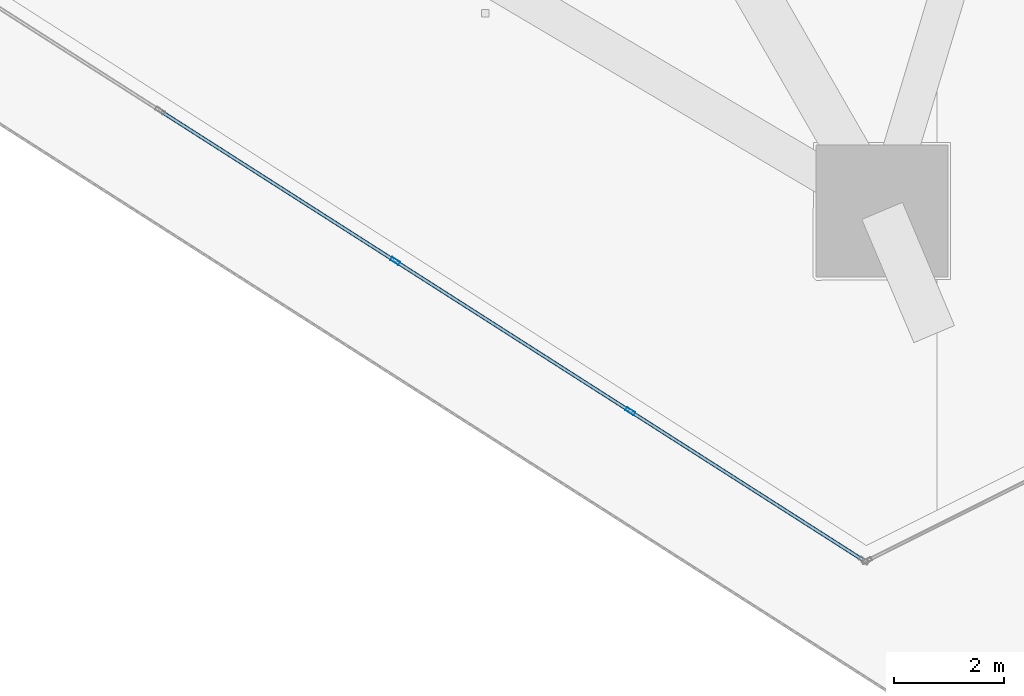
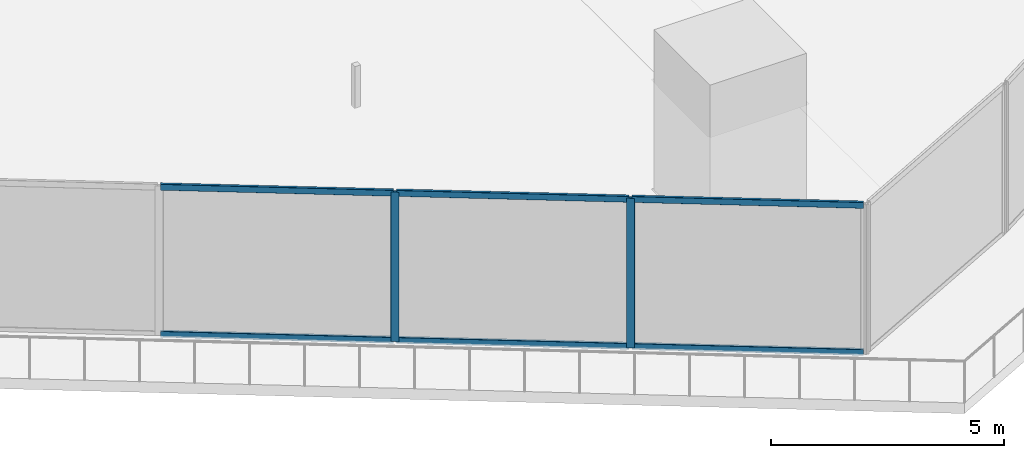
# One storey, part 7 of 42: 8 members, 1 element without a shape of its own.
"""IFC4 building model written with IfcOpenShell, lengths in metres."""

from ifc_helpers import new_model, si_unit, direction, frame, origin, origin_2d, place, context, subcontext, project, spatial, hollow_rectangle, extrude, material, layer, layer_set, material_profile, profile_set, type_object, element, aggregate, save


model = new_model("IFC4")

# Units and contexts
model_context = context("Model", 3, precision=1e-05, world=origin(), true_north=direction((0.0, 1.0)))
body_context = subcontext(model_context, "Body", "Model", "MODEL_VIEW")
ifc_project = project(units=[si_unit("LENGTHUNIT", "METRE"), si_unit("AREAUNIT", "SQUARE_METRE"), si_unit("VOLUMEUNIT", "CUBIC_METRE"), si_unit("PLANEANGLEUNIT", "RADIAN"), si_unit("MASSUNIT", "GRAM", prefix="KILO")], contexts=[model_context])

# Site, building, storey
site_placement = place(None, origin())
site = spatial("IfcSite", under=ifc_project, at=site_placement, CompositionType="ELEMENT")
building_placement = place(site_placement, origin())
building = spatial("IfcBuilding", under=site, at=building_placement, Name="Qorvath Tower", CompositionType="ELEMENT")
storey_placement = place(building_placement, frame((0.0, 0.0, 32.39990234375)))
storey = spatial("IfcBuildingStorey", under=building, at=storey_placement, Name="L06", CompositionType="ELEMENT", Elevation=32.39990234375)

# Curtain wall, members
ifc_material_1 = material(Name="Anodised aluminium and triple low-E glass", Category="aluminium")
ifc_layer = layer(ifc_material_1, 0.179931640625)
ifc_layer_set = layer_set([ifc_layer], Name="CW-SYS-2")
curtain_wall_type = type_object("IfcCurtainWallType", Name="CW-SYS-2", PredefinedType="NOTDEFINED", material=ifc_layer_set)
curtain_wall_placement = place(storey_placement, origin())
curtain_wall = element("IfcCurtainWall", 1, at=curtain_wall_placement, inside=storey, type_object=curtain_wall_type, Name="Curtain Wall CW-2 CW-T-L06-2.2", PredefinedType="NOTDEFINED")
ifc_material_2 = material(Name="Anodised aluminium 6063-T6", Category="aluminium")
ifc_material_profile_1 = material_profile(ifc_material_2, hollow_rectangle(XDim=0.06494140625, YDim=0.179931640625, WallThickness=0.00341796875, InnerFilletRadius=0.00341796875, OuterFilletRadius=0.007080078125, at=origin_2d()), Name="CWM 180x65")
ifc_profile_set_1 = profile_set([ifc_material_profile_1], Name="Anodised aluminium 6063-T6")
member_type_1 = type_object("IfcMemberType", Name="CWM-180", PredefinedType="MULLION", material=ifc_profile_set_1)
member_1_placement = place(storey_placement, frame((-23.306396484375, -28.240966796875, 0.0), z_axis=(0.0, 0.0, 1.0), x_axis=(0.538532593363, 0.842604679483, 0.0)))
member_1 = element("IfcMember", 2, at=member_1_placement, type_object=member_type_1, Name="CW-2 mullion 5", PredefinedType="MULLION", context=body_context, shape_type="SweptSolid", body=[
    extrude(hollow_rectangle(XDim=0.06494140625, YDim=0.179931640625, WallThickness=0.00341796875, InnerFilletRadius=0.00341796875, OuterFilletRadius=0.007080078125, at=origin_2d()), origin(), (0.0, 0.0, 1.0), 3.920166015625),
])
member_2_placement = place(storey_placement, frame((-19.03662109375, -30.969970703125, 0.0), z_axis=(0.0, 0.0, 1.0), x_axis=(0.538532593363, 0.842604679483, 0.0)))
member_2 = element("IfcMember", 3, at=member_2_placement, type_object=member_type_1, Name="CW-2 mullion 6", PredefinedType="MULLION", context=body_context, shape_type="SweptSolid", body=[
    extrude(hollow_rectangle(XDim=0.06494140625, YDim=0.179931640625, WallThickness=0.00341796875, InnerFilletRadius=0.00341796875, OuterFilletRadius=0.007080078125, at=origin_2d()), origin(), (0.0, 0.0, 1.0), 3.920166015625),
])
ifc_material_3 = material(Name="Anodised aluminium 6063-T6", Category="aluminium")
ifc_material_profile_2 = material_profile(ifc_material_3, hollow_rectangle(XDim=0.06494140625, YDim=0.159912109375, WallThickness=0.00341796875, InnerFilletRadius=0.00341796875, OuterFilletRadius=0.007080078125, at=origin_2d()), Name="CWT 160x65")
ifc_profile_set_2 = profile_set([ifc_material_profile_2], Name="Anodised aluminium 6063-T6")
member_type_2 = type_object("IfcMemberType", Name="CWT-160", PredefinedType="USERDEFINED", material=ifc_profile_set_2)
member_3_placement = place(storey_placement, frame((-27.548583984375, -25.52978515625, 0.032470703125), z_axis=(0.842602751758, -0.538535609528, 0.0), x_axis=(0.538535609528, 0.842602751758, 0.0)))
member_3 = element("IfcMember", 4, at=member_3_placement, type_object=member_type_2, Name="CW-2 transom 4.1", ObjectType="TRANSOM", PredefinedType="USERDEFINED", context=body_context, shape_type="SweptSolid", body=[
    extrude(hollow_rectangle(XDim=0.06494140625, YDim=0.159912109375, WallThickness=0.00341796875, InnerFilletRadius=0.00341796875, OuterFilletRadius=0.007080078125, at=origin_2d()), origin(), (0.0, 0.0, 1.0), 5.002197265625),
])
member_4_placement = place(storey_placement, frame((-27.548583984375, -25.52978515625, 3.8876953125), z_axis=(0.842602751758, -0.538535609528, 0.0), x_axis=(0.538535609528, 0.842602751758, 0.0)))
member_4 = element("IfcMember", 5, at=member_4_placement, type_object=member_type_2, Name="CW-2 transom 4.2", ObjectType="TRANSOM", PredefinedType="USERDEFINED", context=body_context, shape_type="SweptSolid", body=[
    extrude(hollow_rectangle(XDim=0.06494140625, YDim=0.159912109375, WallThickness=0.00341796875, InnerFilletRadius=0.00341796875, OuterFilletRadius=0.007080078125, at=origin_2d()), origin(), (0.0, 0.0, 1.0), 5.002197265625),
])
member_5_placement = place(storey_placement, frame((-23.279052734375, -28.258544921875, 0.032470703125), z_axis=(0.842602751758, -0.538535609528, 0.0), x_axis=(0.538535609528, 0.842602751758, 0.0)))
member_5 = element("IfcMember", 6, at=member_5_placement, type_object=member_type_2, Name="CW-2 transom 5.1", ObjectType="TRANSOM", PredefinedType="USERDEFINED", context=body_context, shape_type="SweptSolid", body=[
    extrude(hollow_rectangle(XDim=0.06494140625, YDim=0.159912109375, WallThickness=0.00341796875, InnerFilletRadius=0.00341796875, OuterFilletRadius=0.007080078125, at=origin_2d()), origin(), (0.0, 0.0, 1.0), 5.002197265625),
])
member_6_placement = place(storey_placement, frame((-23.279052734375, -28.258544921875, 3.8876953125), z_axis=(0.842602751758, -0.538535609528, 0.0), x_axis=(0.538535609528, 0.842602751758, 0.0)))
member_6 = element("IfcMember", 7, at=member_6_placement, type_object=member_type_2, Name="CW-2 transom 5.2", ObjectType="TRANSOM", PredefinedType="USERDEFINED", context=body_context, shape_type="SweptSolid", body=[
    extrude(hollow_rectangle(XDim=0.06494140625, YDim=0.159912109375, WallThickness=0.00341796875, InnerFilletRadius=0.00341796875, OuterFilletRadius=0.007080078125, at=origin_2d()), origin(), (0.0, 0.0, 1.0), 5.002197265625),
])
member_7_placement = place(storey_placement, frame((-19.00927734375, -30.9873046875, 0.032470703125), z_axis=(0.842612048599, -0.538521063243, 0.0), x_axis=(0.538521063243, 0.842612048599, 0.0)))
member_7 = element("IfcMember", 8, at=member_7_placement, type_object=member_type_2, Name="CW-2 transom 6.1", ObjectType="TRANSOM", PredefinedType="USERDEFINED", context=body_context, shape_type="SweptSolid", body=[
    extrude(hollow_rectangle(XDim=0.06494140625, YDim=0.159912109375, WallThickness=0.00341796875, InnerFilletRadius=0.00341796875, OuterFilletRadius=0.007080078125, at=origin_2d()), origin(), (0.0, 0.0, 1.0), 4.9697265625),
])
member_8_placement = place(storey_placement, frame((-19.00927734375, -30.9873046875, 3.8876953125), z_axis=(0.842612048599, -0.538521063243, 0.0), x_axis=(0.538521063243, 0.842612048599, 0.0)))
member_8 = element("IfcMember", 9, at=member_8_placement, type_object=member_type_2, Name="CW-2 transom 6.2", ObjectType="TRANSOM", PredefinedType="USERDEFINED", context=body_context, shape_type="SweptSolid", body=[
    extrude(hollow_rectangle(XDim=0.06494140625, YDim=0.159912109375, WallThickness=0.00341796875, InnerFilletRadius=0.00341796875, OuterFilletRadius=0.007080078125, at=origin_2d()), origin(), (0.0, 0.0, 1.0), 4.9697265625),
])
aggregate(curtain_wall, [member_1, member_2, member_3, member_4, member_5, member_6, member_7, member_8])

save(model, "model.ifc")
